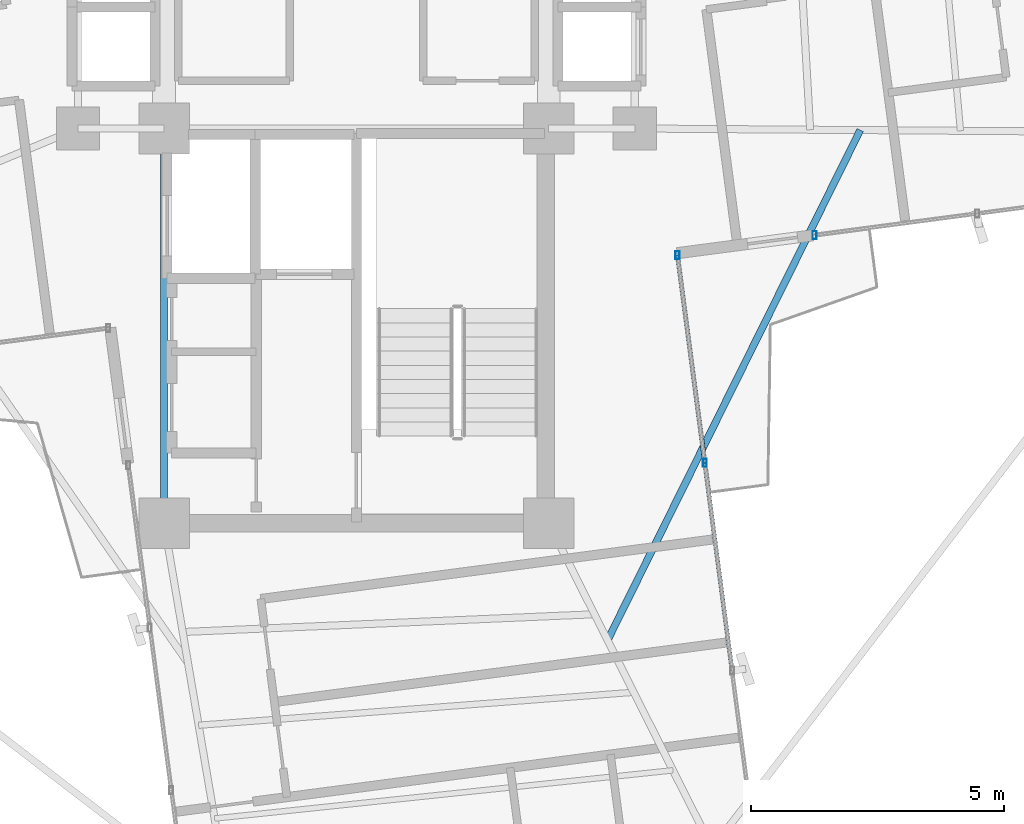
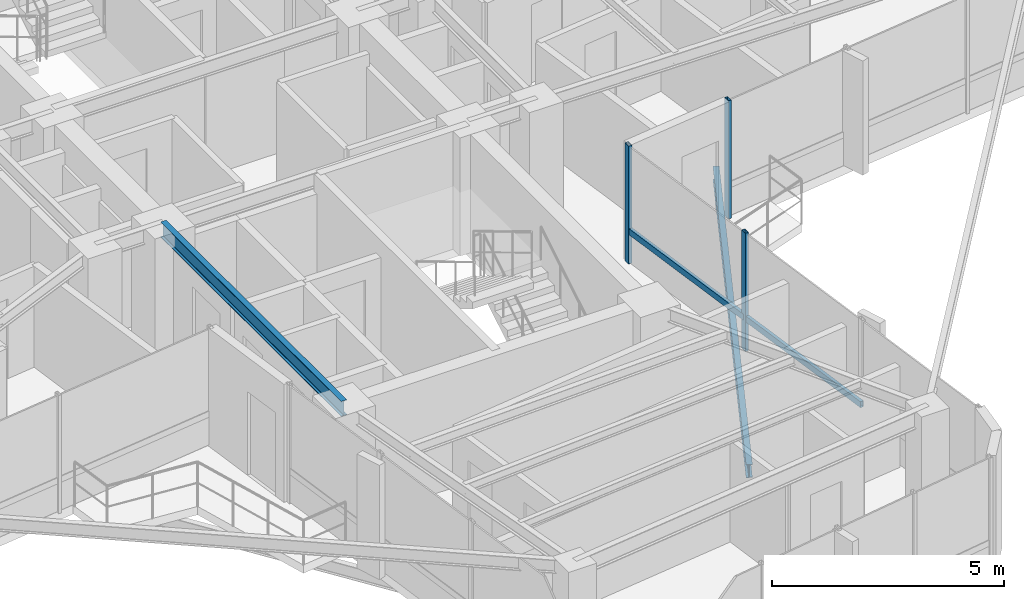
# One storey, part 5 of 21: 5 members, 2 beams, 2 elements without a shape of their own.
"""IFC4 building model written with IfcOpenShell, lengths in metres."""

from ifc_helpers import new_model, si_unit, direction, frame, origin, origin_2d, place, context, subcontext, project, spatial, hollow_rectangle, i_section, extrude, source, transform, mapped, material, material_profile, profile_set, type_object, element, aggregate, save


model = new_model("IFC4")

# Units and contexts
model_context = context("Model", 3, precision=1e-05, world=origin(), true_north=direction((0.0, 1.0)))
body_context = subcontext(model_context, "Body", "Model", "MODEL_VIEW")
ifc_project = project(units=[si_unit("LENGTHUNIT", "METRE"), si_unit("AREAUNIT", "SQUARE_METRE"), si_unit("VOLUMEUNIT", "CUBIC_METRE"), si_unit("PLANEANGLEUNIT", "RADIAN"), si_unit("MASSUNIT", "GRAM", prefix="KILO")], contexts=[model_context])

# Site, building, storey
site_placement = place(None, origin())
site = spatial("IfcSite", under=ifc_project, at=site_placement, CompositionType="ELEMENT")
building_placement = place(site_placement, origin())
building = spatial("IfcBuilding", under=site, at=building_placement, Name="Sahyath Konkavel Grand Hotel", CompositionType="ELEMENT")
storey_placement = place(building_placement, frame((0.0, 0.0, 209.85009765625)))
storey = spatial("IfcBuildingStorey", under=building, at=storey_placement, Name="L58", CompositionType="ELEMENT", Elevation=209.85009765625)

# Beam
ifc_material_1 = material(Name="Steel E350", Category="steel")
ifc_material_profile_1 = material_profile(ifc_material_1, i_section(OverallWidth=0.139892578125, OverallDepth=0.39990234375, WebThickness=0.0087890625, FlangeThickness=0.01611328125, FilletRadius=0.013916015625, at=origin_2d()), Name="ISMB 400")
ifc_profile_set_1 = profile_set([ifc_material_profile_1], Name="Steel E350")
beam_type_1 = type_object("IfcBeamType", Name="BM-ISMB400", PredefinedType="BEAM", material=ifc_profile_set_1)
shared_shape_1 = source(origin(), body_context, "Body", "SweptSolid", [
    extrude(i_section(OverallWidth=0.139892578125, OverallDepth=0.39990234375, WebThickness=0.0087890625, FlangeThickness=0.01611328125, FilletRadius=0.013916015625, at=origin_2d()), origin(), (0.0, 0.0, 1.0), 7.800048828125),
])
beam_1_placement = place(storey_placement, frame((-3.800048828125, -10.199951171875, 2.909912109375), z_axis=(0.0, 1.0, 0.0), x_axis=(-1.0, 0.0, 0.0)))
element("IfcBeam", 1, at=beam_1_placement, inside=storey, type_object=beam_type_1, Name="str:bm:L58:SC-W", PredefinedType="BEAM", context=body_context, shape_type="MappedRepresentation", body=[
    mapped(shared_shape_1, transform((0.0, 0.0, 0.0), scale=1.0)),
])

# Curtain wall, member
ifc_material_2 = material(Name="Anodised Bronze Aluminium & Low-E Glazing", Category="aluminium")
curtain_wall_type = type_object("IfcCurtainWallType", Name="CW-ZONE4", PredefinedType="NOTDEFINED", material=ifc_material_2)
curtain_wall_1_placement = place(storey_placement, origin())
curtain_wall_1 = element("IfcCurtainWall", 2, at=curtain_wall_1_placement, inside=storey, type_object=curtain_wall_type, Name="L58 Unitised Curtain Wall F0", PredefinedType="NOTDEFINED")
ifc_material_3 = material(Name="Anodised Bronze Aluminium", Category="aluminium")
ifc_material_profile_2 = material_profile(ifc_material_3, hollow_rectangle(XDim=0.080078125, YDim=0.159912109375, WallThickness=0.006103515625, at=origin_2d()), Name="RHS 160x80x6")
ifc_profile_set_2 = profile_set([ifc_material_profile_2], Name="Anodised Bronze Aluminium")
member_type_1 = type_object("IfcMemberType", Name="CW-MUL-160", PredefinedType="MULLION", material=ifc_profile_set_2)
shared_shape_2 = source(origin(), body_context, "Body", "SweptSolid", [
    extrude(hollow_rectangle(XDim=0.080078125, YDim=0.159912109375, WallThickness=0.006103515625, at=origin_2d()), origin(), (0.0, 0.0, 1.0), 3.10986328125),
])
member_1_placement = place(storey_placement, frame((9.0556640625, -4.506591796875, 0.0), z_axis=(0.0, 0.0, 1.0), x_axis=(1.0, 0.0, 0.0)))
member_1 = element("IfcMember", 3, at=member_1_placement, type_object=member_type_1, Name="L58 Curtain Wall Mullion F0-0", PredefinedType="MULLION", context=body_context, shape_type="MappedRepresentation", body=[
    mapped(shared_shape_2, transform((0.0, 0.0, 0.0), scale=1.0)),
])
aggregate(curtain_wall_1, [member_1])

# Curtain wall, members
curtain_wall_2_placement = place(storey_placement, origin())
curtain_wall_2 = element("IfcCurtainWall", 4, at=curtain_wall_2_placement, inside=storey, type_object=curtain_wall_type, Name="L58 Unitised Curtain Wall F31", PredefinedType="NOTDEFINED")
member_2_placement = place(storey_placement, frame((6.884765625, -9.008544921875, 0.0), z_axis=(0.0, 0.0, 1.0), x_axis=(1.0, 0.0, 0.0)))
member_2 = element("IfcMember", 5, at=member_2_placement, type_object=member_type_1, Name="L58 Curtain Wall Mullion F31-2", PredefinedType="MULLION", context=body_context, shape_type="MappedRepresentation", body=[
    mapped(shared_shape_2, transform((0.0, 0.0, 0.0), scale=1.0)),
])
member_3_placement = place(storey_placement, frame((6.34423828125, -4.90380859375, 0.0), z_axis=(0.0, 0.0, 1.0), x_axis=(1.0, 0.0, 0.0)))
member_3 = element("IfcMember", 6, at=member_3_placement, type_object=member_type_1, Name="L58 Curtain Wall Mullion F31-3", PredefinedType="MULLION", context=body_context, shape_type="MappedRepresentation", body=[
    mapped(shared_shape_2, transform((0.0, 0.0, 0.0), scale=1.0)),
])
ifc_material_profile_3 = material_profile(ifc_material_3, hollow_rectangle(XDim=0.080078125, YDim=0.159912109375, WallThickness=0.006103515625, at=origin_2d()), Name="RHS 160x80x6")
ifc_profile_set_3 = profile_set([ifc_material_profile_3], Name="Anodised Bronze Aluminium")
member_type_2 = type_object("IfcMemberType", Name="CW-TRN-160", PredefinedType="USERDEFINED", material=ifc_profile_set_3)
shared_shape_3 = source(origin(), body_context, "Body", "SweptSolid", [
    extrude(hollow_rectangle(XDim=0.080078125, YDim=0.159912109375, WallThickness=0.006103515625, at=origin_2d()), origin(), (0.0, 0.0, 1.0), 4.139892578125),
])
member_4_placement = place(storey_placement, frame((7.425048828125, -13.113037109375, 0.849853515625), z_axis=(-0.130506379383, 0.991447469582, 0.0), x_axis=(-0.991447469582, -0.130506379383, 0.0)))
member_4 = element("IfcMember", 7, at=member_4_placement, type_object=member_type_2, Name="L58 Curtain Wall Transom F31-1-spandrel", ObjectType="TRANSOM", PredefinedType="USERDEFINED", context=body_context, shape_type="MappedRepresentation", body=[
    mapped(shared_shape_3, transform((0.0, 0.0, 0.0), scale=1.0)),
])
shared_shape_4 = source(origin(), body_context, "Body", "SweptSolid", [
    extrude(hollow_rectangle(XDim=0.080078125, YDim=0.159912109375, WallThickness=0.006103515625, at=origin_2d()), origin(), (0.0, 0.0, 1.0), 4.14013671875),
])
member_5_placement = place(storey_placement, frame((6.884765625, -9.008544921875, 0.849853515625), z_axis=(-0.130556713596, 0.99144084268, 0.0), x_axis=(-0.99144084268, -0.130556713596, 0.0)))
member_5 = element("IfcMember", 8, at=member_5_placement, type_object=member_type_2, Name="L58 Curtain Wall Transom F31-2-spandrel", ObjectType="TRANSOM", PredefinedType="USERDEFINED", context=body_context, shape_type="MappedRepresentation", body=[
    mapped(shared_shape_4, transform((0.0, 0.0, 0.0), scale=1.0)),
])
aggregate(curtain_wall_2, [member_2, member_3, member_4, member_5])

# Beam
ifc_material_profile_4 = material_profile(ifc_material_1, i_section(OverallWidth=0.139892578125, OverallDepth=0.35009765625, WebThickness=0.008056640625, FlangeThickness=0.01416015625, FilletRadius=0.013916015625, at=origin_2d()), Name="ISMB 350")
ifc_profile_set_4 = profile_set([ifc_material_profile_4], Name="Steel E350")
beam_type_2 = type_object("IfcBeamType", Name="BM-BALC-CANT", PredefinedType="BEAM", material=ifc_profile_set_4)
shared_shape_5 = source(origin(), body_context, "Body", "SweptSolid", [
    extrude(i_section(OverallWidth=0.139892578125, OverallDepth=0.35009765625, WebThickness=0.008056640625, FlangeThickness=0.01416015625, FilletRadius=0.013916015625, at=origin_2d()), origin(), (0.0, 0.0, 1.0), 11.25),
])
beam_2_placement = place(storey_placement, frame((4.962890625, -12.512939453125, -0.4150390625), z_axis=(0.443833696027, 0.896109173188, 0.0), x_axis=(-0.896109173188, 0.443833696027, 0.0)))
element("IfcBeam", 9, at=beam_2_placement, inside=storey, type_object=beam_type_2, Name="L58 Balcony Cantilever Support Beam SE", PredefinedType="BEAM", context=body_context, shape_type="MappedRepresentation", body=[
    mapped(shared_shape_5, transform((0.0, 0.0, 0.0), scale=1.0)),
])

save(model, "model.ifc")
